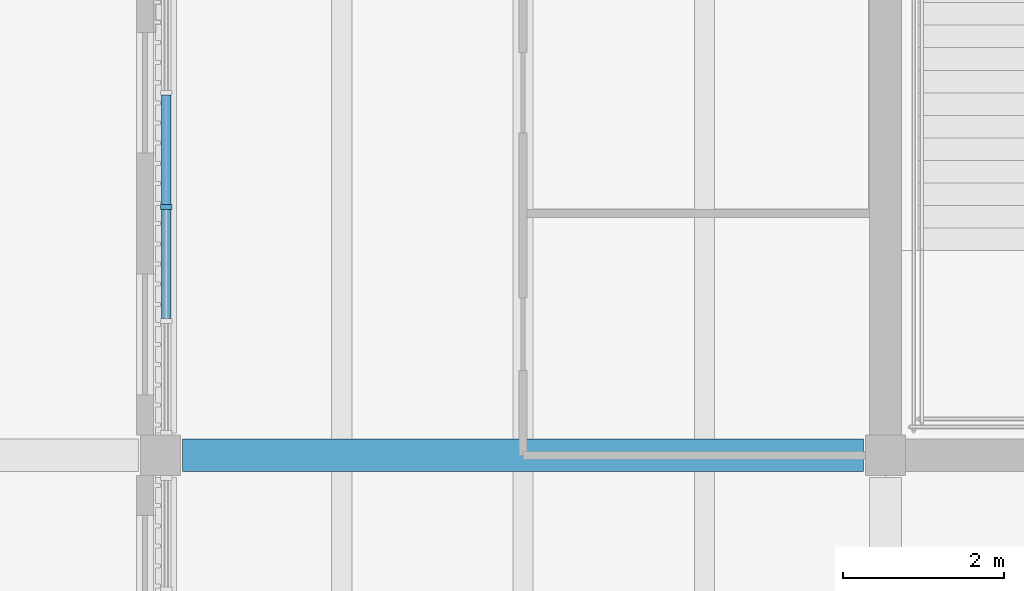
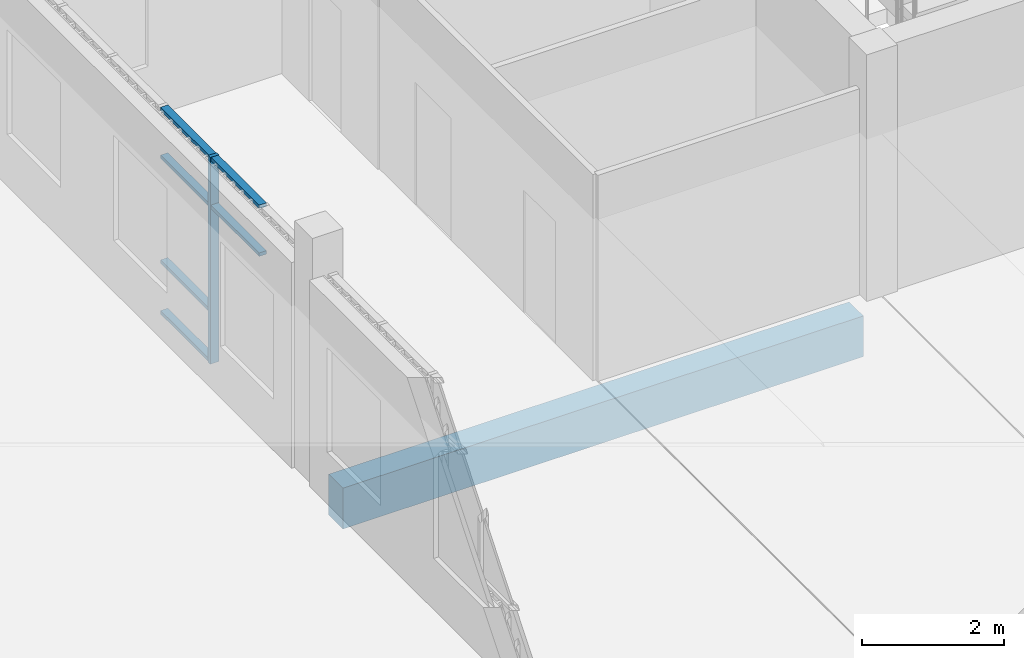
# One storey, part 25 of 92: 7 members, 1 beam, 1 element without a shape of its own.
"""IFC4 building model written with IfcOpenShell, lengths in metres."""

from ifc_helpers import new_model, si_unit, direction, frame, origin, origin_2d, place, context, subcontext, project, spatial, rectangle, extrude, material, material_profile, profile_set, type_object, element, aggregate, save


model = new_model("IFC4")

# Units and contexts
model_context = context("Model", 3, precision=1e-05, world=origin(), true_north=direction((0.0, 1.0)))
body_context = subcontext(model_context, "Body", "Model", "MODEL_VIEW")
ifc_project = project(units=[si_unit("LENGTHUNIT", "METRE"), si_unit("AREAUNIT", "SQUARE_METRE"), si_unit("VOLUMEUNIT", "CUBIC_METRE"), si_unit("PLANEANGLEUNIT", "RADIAN"), si_unit("MASSUNIT", "GRAM", prefix="KILO")], contexts=[model_context])

# Site, building, storey
site_placement = place(None, origin())
site = spatial("IfcSite", under=ifc_project, at=site_placement, CompositionType="ELEMENT")
building_placement = place(site_placement, origin())
building = spatial("IfcBuilding", under=site, at=building_placement, Name="Merrow Basin Faculty of Sciences", CompositionType="ELEMENT")
storey_placement = place(building_placement, frame((0.0, 0.0, 4.5)))
storey = spatial("IfcBuildingStorey", under=building, at=storey_placement, Name="L01", CompositionType="ELEMENT", Elevation=4.5)

# Curtain wall, members
ifc_material_1 = material(Name="Aluminium alloy 6063", Category="aluminium")
curtain_wall_type = type_object("IfcCurtainWallType", Name="Court curtain wall 140", PredefinedType="NOTDEFINED", material=ifc_material_1)
curtain_wall_placement = place(storey_placement, origin())
curtain_wall = element("IfcCurtainWall", 1, at=curtain_wall_placement, inside=storey, type_object=curtain_wall_type, Name="Court curtain wall L01 8", PredefinedType="NOTDEFINED")
ifc_material_2 = material(Name="Aluminium alloy 6063", Category="aluminium")
ifc_material_profile_1 = material_profile(ifc_material_2, rectangle(XDim=0.139892578125, YDim=0.06005859375, at=origin_2d()))
ifc_profile_set_1 = profile_set([ifc_material_profile_1], Name="Aluminium alloy 6063")
member_type_1 = type_object("IfcMemberType", Name="Aluminium mullion 60x140", PredefinedType="MULLION", material=ifc_profile_set_1)
member_1_placement = place(storey_placement, frame((54.070068359375, 127.083251953125, 0.0), z_axis=(0.0, 0.0, 1.0), x_axis=(-1.0, 0.0, 0.0)))
member_1 = element("IfcMember", 2, at=member_1_placement, type_object=member_type_1, Name="CW8 mullion 3", PredefinedType="MULLION", context=body_context, shape_type="SweptSolid", body=[
    extrude(rectangle(XDim=0.139892578125, YDim=0.06005859375, at=origin_2d()), origin(), (0.0, 0.0, 1.0), 3.550048828125),
])
ifc_material_3 = material(Name="Aluminium alloy 6063", Category="aluminium")
ifc_material_profile_2 = material_profile(ifc_material_3, rectangle(XDim=0.1201171875, YDim=0.06005859375, at=origin_2d()))
ifc_profile_set_2 = profile_set([ifc_material_profile_2], Name="Aluminium alloy 6063")
member_type_2 = type_object("IfcMemberType", Name="Aluminium transom 60x120", PredefinedType="USERDEFINED", material=ifc_profile_set_2)
member_2_placement = place(storey_placement, frame((54.070068359375, 125.69677734375, 2.699951171875), z_axis=(0.0, 1.0, 0.0), x_axis=(-1.0, 0.0, 0.0)))
member_2 = element("IfcMember", 3, at=member_2_placement, type_object=member_type_2, Name="CW8 transom 2.3", ObjectType="TRANSOM", PredefinedType="USERDEFINED", context=body_context, shape_type="SweptSolid", body=[
    extrude(rectangle(XDim=0.1201171875, YDim=0.06005859375, at=origin_2d()), origin(), (0.0, 0.0, 1.0), 1.3564453125),
])
member_3_placement = place(storey_placement, frame((54.070068359375, 125.69677734375, 3.52001953125), z_axis=(0.0, 1.0, 0.0), x_axis=(-1.0, 0.0, 0.0)))
member_3 = element("IfcMember", 4, at=member_3_placement, type_object=member_type_2, Name="CW8 transom 2.4", ObjectType="TRANSOM", PredefinedType="USERDEFINED", context=body_context, shape_type="SweptSolid", body=[
    extrude(rectangle(XDim=0.1201171875, YDim=0.06005859375, at=origin_2d()), origin(), (0.0, 0.0, 1.0), 1.3564453125),
])
member_4_placement = place(storey_placement, frame((54.070068359375, 127.11328125, 0.030029296875), z_axis=(0.0, 1.0, 0.0), x_axis=(-1.0, 0.0, 0.0)))
member_4 = element("IfcMember", 5, at=member_4_placement, type_object=member_type_2, Name="CW8 transom 3.1", ObjectType="TRANSOM", PredefinedType="USERDEFINED", context=body_context, shape_type="SweptSolid", body=[
    extrude(rectangle(XDim=0.1201171875, YDim=0.06005859375, at=origin_2d()), origin(), (0.0, 0.0, 1.0), 1.356689453125),
])
member_5_placement = place(storey_placement, frame((54.070068359375, 127.11328125, 0.89990234375), z_axis=(0.0, 1.0, 0.0), x_axis=(-1.0, 0.0, 0.0)))
member_5 = element("IfcMember", 6, at=member_5_placement, type_object=member_type_2, Name="CW8 transom 3.2", ObjectType="TRANSOM", PredefinedType="USERDEFINED", context=body_context, shape_type="SweptSolid", body=[
    extrude(rectangle(XDim=0.1201171875, YDim=0.06005859375, at=origin_2d()), origin(), (0.0, 0.0, 1.0), 1.356689453125),
])
member_6_placement = place(storey_placement, frame((54.070068359375, 127.11328125, 2.699951171875), z_axis=(0.0, 1.0, 0.0), x_axis=(-1.0, 0.0, 0.0)))
member_6 = element("IfcMember", 7, at=member_6_placement, type_object=member_type_2, Name="CW8 transom 3.3", ObjectType="TRANSOM", PredefinedType="USERDEFINED", context=body_context, shape_type="SweptSolid", body=[
    extrude(rectangle(XDim=0.1201171875, YDim=0.06005859375, at=origin_2d()), origin(), (0.0, 0.0, 1.0), 1.356689453125),
])
member_7_placement = place(storey_placement, frame((54.070068359375, 127.11328125, 3.52001953125), z_axis=(0.0, 1.0, 0.0), x_axis=(-1.0, 0.0, 0.0)))
member_7 = element("IfcMember", 8, at=member_7_placement, type_object=member_type_2, Name="CW8 transom 3.4", ObjectType="TRANSOM", PredefinedType="USERDEFINED", context=body_context, shape_type="SweptSolid", body=[
    extrude(rectangle(XDim=0.1201171875, YDim=0.06005859375, at=origin_2d()), origin(), (0.0, 0.0, 1.0), 1.356689453125),
])
aggregate(curtain_wall, [member_1, member_2, member_3, member_4, member_5, member_6, member_7])

# Beam
ifc_material_4 = material(Name="Concrete C40/50", Category="concrete")
ifc_material_profile_3 = material_profile(ifc_material_4, rectangle(XDim=0.39990234375, YDim=0.699951171875, at=origin_2d()))
ifc_profile_set_3 = profile_set([ifc_material_profile_3], Name="Concrete C40/50")
beam_type = type_object("IfcBeamType", Name="Beam RC400x700 C40/50", PredefinedType="BEAM", material=ifc_profile_set_3)
beam_placement = place(storey_placement, frame((54.27490234375, 124.0, -0.60009765625), z_axis=(1.0, 0.0, 0.0), x_axis=(0.0, 1.0, 0.0)))
element("IfcBeam", 9, at=beam_placement, inside=storey, type_object=beam_type, Name="B3 L01 016", PredefinedType="BEAM", context=body_context, shape_type="SweptSolid", body=[
    extrude(rectangle(XDim=0.39990234375, YDim=0.699951171875, at=origin_2d()), origin(), (0.0, 0.0, 1.0), 8.4501953125),
])

save(model, "model.ifc")
